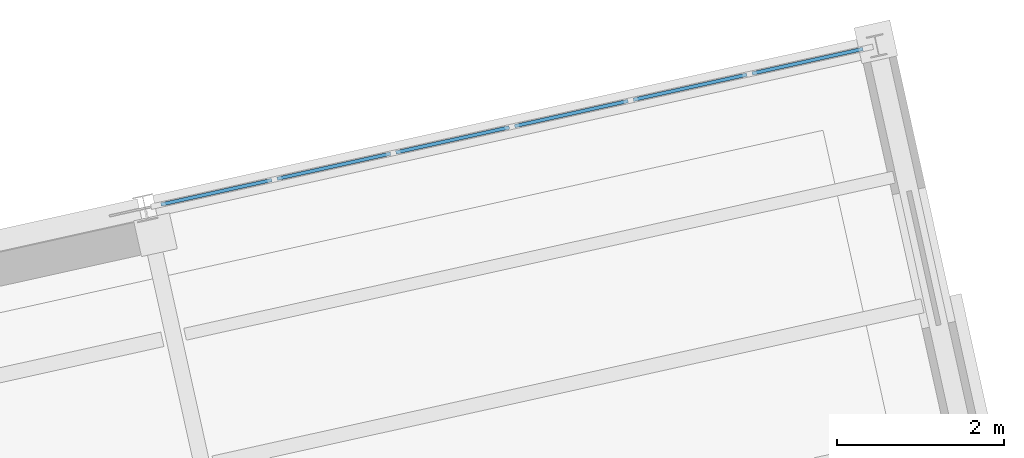
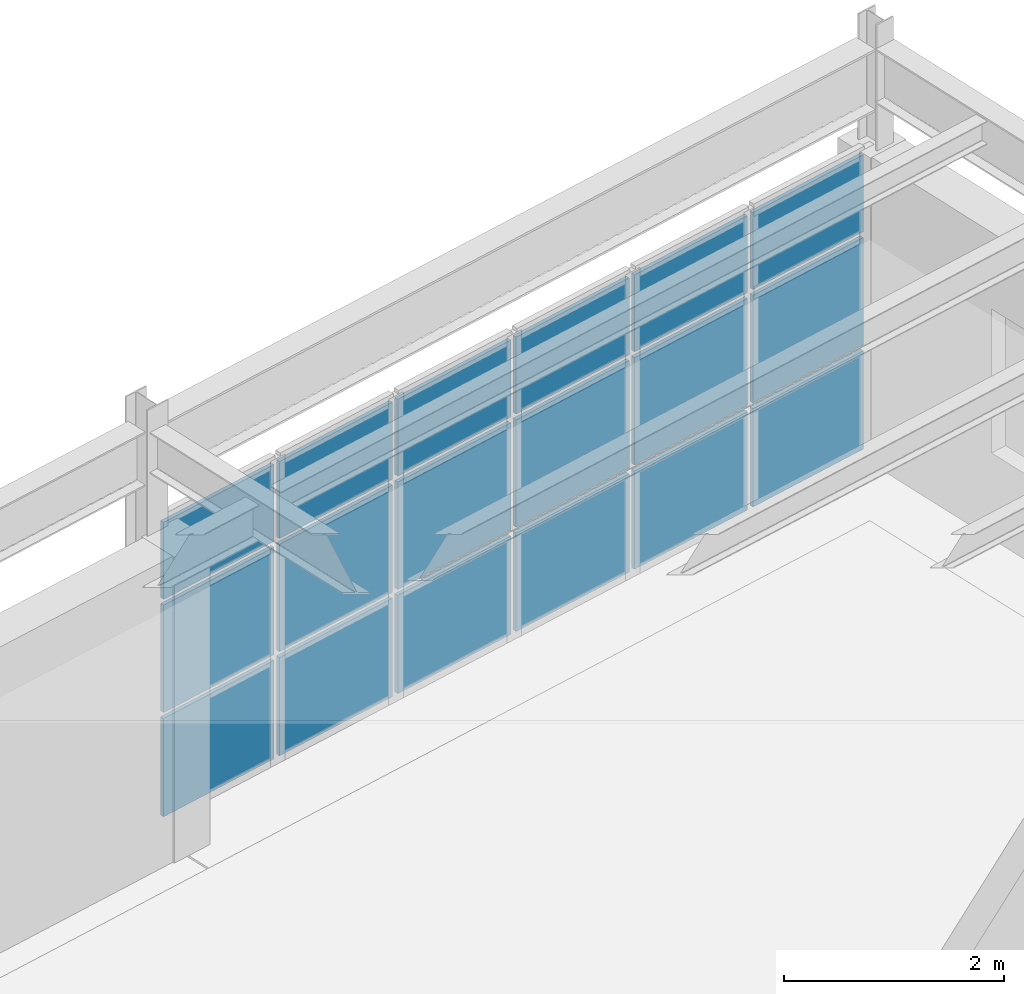
# One storey, part 76 of 109: 18 plates, 1 element without a shape of its own.
"""IFC4 building model written with IfcOpenShell, lengths in metres."""

from ifc_helpers import new_model, si_unit, direction, frame, origin, origin_2d, place, context, subcontext, project, spatial, rectangle, extrude, material, layer, layer_set, type_object, element, aggregate, save


model = new_model("IFC4")

# Units and contexts
model_context = context("Model", 3, precision=1e-05, world=origin(), true_north=direction((0.0, 1.0)))
body_context = subcontext(model_context, "Body", "Model", "MODEL_VIEW")
ifc_project = project(units=[si_unit("LENGTHUNIT", "METRE"), si_unit("AREAUNIT", "SQUARE_METRE"), si_unit("VOLUMEUNIT", "CUBIC_METRE"), si_unit("PLANEANGLEUNIT", "RADIAN"), si_unit("MASSUNIT", "GRAM", prefix="KILO")], contexts=[model_context])

# Site, building, storey
site_placement = place(None, origin())
site = spatial("IfcSite", under=ifc_project, at=site_placement, CompositionType="ELEMENT")
building_placement = place(site_placement, origin())
building = spatial("IfcBuilding", under=site, at=building_placement, Name="Vireo Bluff Cable Station", CompositionType="ELEMENT")
storey_placement = place(building_placement, frame((0.0, 0.0, 4.800048828125)))
storey = spatial("IfcBuildingStorey", under=building, at=storey_placement, Name="L01", CompositionType="ELEMENT", Elevation=4.800048828125)

# Curtain wall, plates
ifc_material_1 = material(Name="Anodized Aluminium 6063-T6", Category="aluminium")
ifc_layer_1 = layer(ifc_material_1, 0.179931640625, Name="Anodized Aluminium 6063-T6")
ifc_layer_set_1 = layer_set([ifc_layer_1], Name="Anodized Aluminium 6063-T6")
curtain_wall_type = type_object("IfcCurtainWallType", Name="CW-UNIT-1400", PredefinedType="USERDEFINED", material=ifc_layer_set_1)
curtain_wall_placement = place(storey_placement, origin())
curtain_wall = element("IfcCurtainWall", 1, at=curtain_wall_placement, inside=storey, type_object=curtain_wall_type, Name="V2 L01 north curtain wall CW-048", ObjectType="UNITISED CURTAIN WALL", PredefinedType="USERDEFINED")
ifc_material_2 = material(Name="Insulated Spandrel Glass Panel", Category="glass")
ifc_layer_2 = layer(ifc_material_2, 0.0419921875, Name="Insulated Spandrel Glass Panel")
ifc_layer_set_2 = layer_set([ifc_layer_2], Name="Insulated Spandrel Glass Panel")
plate_type = type_object("IfcPlateType", Name="CWP-42-4", PredefinedType="CURTAIN_PANEL", material=ifc_layer_set_2)
plate_1_placement = place(storey_placement, frame((147.046630859375, 107.85791015625, 0.06494140625), z_axis=(0.0, 0.0, 1.0), x_axis=(0.976295984813, 0.216439714557, 0.0)))
plate_1 = element("IfcPlate", 2, at=plate_1_placement, type_object=plate_type, Name="CW-048 panel 1.1", PredefinedType="CURTAIN_PANEL", context=body_context, shape_type="SweptSolid", body=[
    extrude(rectangle(XDim=1.36376953125, YDim=0.0419921875, at=origin_2d()), origin(), (0.0, 0.0, 1.0), 1.092529296875),
])
plate_2_placement = place(storey_placement, frame((147.046630859375, 107.85791015625, 1.22216796875), z_axis=(0.0, 0.0, 1.0), x_axis=(0.976295984813, 0.216439714557, 0.0)))
plate_2 = element("IfcPlate", 3, at=plate_2_placement, type_object=plate_type, Name="CW-048 panel 1.2", PredefinedType="CURTAIN_PANEL", context=body_context, shape_type="SweptSolid", body=[
    extrude(rectangle(XDim=1.36376953125, YDim=0.0419921875, at=origin_2d()), origin(), (0.0, 0.0, 1.0), 1.193115234375),
])
plate_3_placement = place(storey_placement, frame((147.046630859375, 107.85791015625, 2.48046875), z_axis=(0.0, 0.0, 1.0), x_axis=(0.976295984813, 0.216439714557, 0.0)))
plate_3 = element("IfcPlate", 4, at=plate_3_placement, type_object=plate_type, Name="CW-048 panel 1.3", PredefinedType="CURTAIN_PANEL", context=body_context, shape_type="SweptSolid", body=[
    extrude(rectangle(XDim=1.36376953125, YDim=0.0419921875, at=origin_2d()), origin(), (0.0, 0.0, 1.0), 0.8544921875),
])
plate_4_placement = place(storey_placement, frame((148.457275390625, 108.170654296875, 0.06494140625), z_axis=(0.0, 0.0, 1.0), x_axis=(0.976295984813, 0.216439714557, 0.0)))
plate_4 = element("IfcPlate", 5, at=plate_4_placement, type_object=plate_type, Name="CW-048 panel 2.1", PredefinedType="CURTAIN_PANEL", context=body_context, shape_type="SweptSolid", body=[
    extrude(rectangle(XDim=1.396240234375, YDim=0.0419921875, at=origin_2d()), origin(), (0.0, 0.0, 1.0), 1.092529296875),
])
plate_5_placement = place(storey_placement, frame((148.457275390625, 108.170654296875, 1.22216796875), z_axis=(0.0, 0.0, 1.0), x_axis=(0.976295984813, 0.216439714557, 0.0)))
plate_5 = element("IfcPlate", 6, at=plate_5_placement, type_object=plate_type, Name="CW-048 panel 2.2", PredefinedType="CURTAIN_PANEL", context=body_context, shape_type="SweptSolid", body=[
    extrude(rectangle(XDim=1.396240234375, YDim=0.0419921875, at=origin_2d()), origin(), (0.0, 0.0, 1.0), 1.193115234375),
])
plate_6_placement = place(storey_placement, frame((148.457275390625, 108.170654296875, 2.48046875), z_axis=(0.0, 0.0, 1.0), x_axis=(0.976295984813, 0.216439714557, 0.0)))
plate_6 = element("IfcPlate", 7, at=plate_6_placement, type_object=plate_type, Name="CW-048 panel 2.3", PredefinedType="CURTAIN_PANEL", context=body_context, shape_type="SweptSolid", body=[
    extrude(rectangle(XDim=1.396240234375, YDim=0.0419921875, at=origin_2d()), origin(), (0.0, 0.0, 1.0), 0.8544921875),
])
plate_7_placement = place(storey_placement, frame((149.8837890625, 108.48681640625, 0.06494140625), z_axis=(0.0, 0.0, 1.0), x_axis=(0.976295984813, 0.216439714557, 0.0)))
plate_7 = element("IfcPlate", 8, at=plate_7_placement, type_object=plate_type, Name="CW-048 panel 3.1", PredefinedType="CURTAIN_PANEL", context=body_context, shape_type="SweptSolid", body=[
    extrude(rectangle(XDim=1.396240234375, YDim=0.0419921875, at=origin_2d()), origin(), (0.0, 0.0, 1.0), 1.092529296875),
])
plate_8_placement = place(storey_placement, frame((149.8837890625, 108.48681640625, 1.22216796875), z_axis=(0.0, 0.0, 1.0), x_axis=(0.976295984813, 0.216439714557, 0.0)))
plate_8 = element("IfcPlate", 9, at=plate_8_placement, type_object=plate_type, Name="CW-048 panel 3.2", PredefinedType="CURTAIN_PANEL", context=body_context, shape_type="SweptSolid", body=[
    extrude(rectangle(XDim=1.396240234375, YDim=0.0419921875, at=origin_2d()), origin(), (0.0, 0.0, 1.0), 1.193115234375),
])
plate_9_placement = place(storey_placement, frame((149.8837890625, 108.48681640625, 2.48046875), z_axis=(0.0, 0.0, 1.0), x_axis=(0.976295984813, 0.216439714557, 0.0)))
plate_9 = element("IfcPlate", 10, at=plate_9_placement, type_object=plate_type, Name="CW-048 panel 3.3", PredefinedType="CURTAIN_PANEL", context=body_context, shape_type="SweptSolid", body=[
    extrude(rectangle(XDim=1.396240234375, YDim=0.0419921875, at=origin_2d()), origin(), (0.0, 0.0, 1.0), 0.8544921875),
])
plate_10_placement = place(storey_placement, frame((151.310302734375, 108.80322265625, 0.06494140625), z_axis=(0.0, 0.0, 1.0), x_axis=(0.976295984813, 0.216439714557, 0.0)))
plate_10 = element("IfcPlate", 11, at=plate_10_placement, type_object=plate_type, Name="CW-048 panel 4.1", PredefinedType="CURTAIN_PANEL", context=body_context, shape_type="SweptSolid", body=[
    extrude(rectangle(XDim=1.396240234375, YDim=0.0419921875, at=origin_2d()), origin(), (0.0, 0.0, 1.0), 1.092529296875),
])
plate_11_placement = place(storey_placement, frame((151.310302734375, 108.80322265625, 1.22216796875), z_axis=(0.0, 0.0, 1.0), x_axis=(0.976295984813, 0.216439714557, 0.0)))
plate_11 = element("IfcPlate", 12, at=plate_11_placement, type_object=plate_type, Name="CW-048 panel 4.2", PredefinedType="CURTAIN_PANEL", context=body_context, shape_type="SweptSolid", body=[
    extrude(rectangle(XDim=1.396240234375, YDim=0.0419921875, at=origin_2d()), origin(), (0.0, 0.0, 1.0), 1.193115234375),
])
plate_12_placement = place(storey_placement, frame((151.310302734375, 108.80322265625, 2.48046875), z_axis=(0.0, 0.0, 1.0), x_axis=(0.976295984813, 0.216439714557, 0.0)))
plate_12 = element("IfcPlate", 13, at=plate_12_placement, type_object=plate_type, Name="CW-048 panel 4.3", PredefinedType="CURTAIN_PANEL", context=body_context, shape_type="SweptSolid", body=[
    extrude(rectangle(XDim=1.396240234375, YDim=0.0419921875, at=origin_2d()), origin(), (0.0, 0.0, 1.0), 0.8544921875),
])
plate_13_placement = place(storey_placement, frame((152.73681640625, 109.119384765625, 0.06494140625), z_axis=(0.0, 0.0, 1.0), x_axis=(0.976295984813, 0.216439714557, 0.0)))
plate_13 = element("IfcPlate", 14, at=plate_13_placement, type_object=plate_type, Name="CW-048 panel 5.1", PredefinedType="CURTAIN_PANEL", context=body_context, shape_type="SweptSolid", body=[
    extrude(rectangle(XDim=1.396240234375, YDim=0.0419921875, at=origin_2d()), origin(), (0.0, 0.0, 1.0), 1.092529296875),
])
plate_14_placement = place(storey_placement, frame((152.73681640625, 109.119384765625, 1.22216796875), z_axis=(0.0, 0.0, 1.0), x_axis=(0.976295984813, 0.216439714557, 0.0)))
plate_14 = element("IfcPlate", 15, at=plate_14_placement, type_object=plate_type, Name="CW-048 panel 5.2", PredefinedType="CURTAIN_PANEL", context=body_context, shape_type="SweptSolid", body=[
    extrude(rectangle(XDim=1.396240234375, YDim=0.0419921875, at=origin_2d()), origin(), (0.0, 0.0, 1.0), 1.193115234375),
])
plate_15_placement = place(storey_placement, frame((152.73681640625, 109.119384765625, 2.48046875), z_axis=(0.0, 0.0, 1.0), x_axis=(0.976295984813, 0.216439714557, 0.0)))
plate_15 = element("IfcPlate", 16, at=plate_15_placement, type_object=plate_type, Name="CW-048 panel 5.3", PredefinedType="CURTAIN_PANEL", context=body_context, shape_type="SweptSolid", body=[
    extrude(rectangle(XDim=1.396240234375, YDim=0.0419921875, at=origin_2d()), origin(), (0.0, 0.0, 1.0), 0.8544921875),
])
plate_16_placement = place(storey_placement, frame((154.1474609375, 109.43212890625, 0.06494140625), z_axis=(0.0, 0.0, 1.0), x_axis=(0.976295984813, 0.216439714557, 0.0)))
plate_16 = element("IfcPlate", 17, at=plate_16_placement, type_object=plate_type, Name="CW-048 panel 6.1", PredefinedType="CURTAIN_PANEL", context=body_context, shape_type="SweptSolid", body=[
    extrude(rectangle(XDim=1.36376953125, YDim=0.0419921875, at=origin_2d()), origin(), (0.0, 0.0, 1.0), 1.092529296875),
])
plate_17_placement = place(storey_placement, frame((154.1474609375, 109.43212890625, 1.22216796875), z_axis=(0.0, 0.0, 1.0), x_axis=(0.976295984813, 0.216439714557, 0.0)))
plate_17 = element("IfcPlate", 18, at=plate_17_placement, type_object=plate_type, Name="CW-048 panel 6.2", PredefinedType="CURTAIN_PANEL", context=body_context, shape_type="SweptSolid", body=[
    extrude(rectangle(XDim=1.36376953125, YDim=0.0419921875, at=origin_2d()), origin(), (0.0, 0.0, 1.0), 1.193115234375),
])
plate_18_placement = place(storey_placement, frame((154.1474609375, 109.43212890625, 2.48046875), z_axis=(0.0, 0.0, 1.0), x_axis=(0.976295984813, 0.216439714557, 0.0)))
plate_18 = element("IfcPlate", 19, at=plate_18_placement, type_object=plate_type, Name="CW-048 panel 6.3", PredefinedType="CURTAIN_PANEL", context=body_context, shape_type="SweptSolid", body=[
    extrude(rectangle(XDim=1.36376953125, YDim=0.0419921875, at=origin_2d()), origin(), (0.0, 0.0, 1.0), 0.8544921875),
])
aggregate(curtain_wall, [plate_1, plate_2, plate_3, plate_4, plate_5, plate_6, plate_7, plate_8, plate_9, plate_10, plate_11, plate_12, plate_13, plate_14, plate_15, plate_16, plate_17, plate_18])

save(model, "model.ifc")
